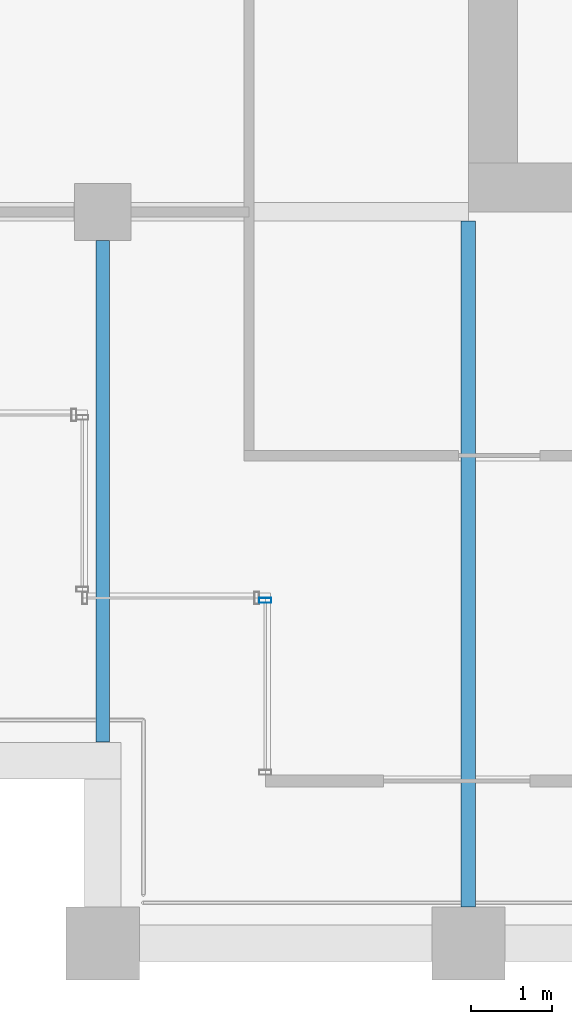
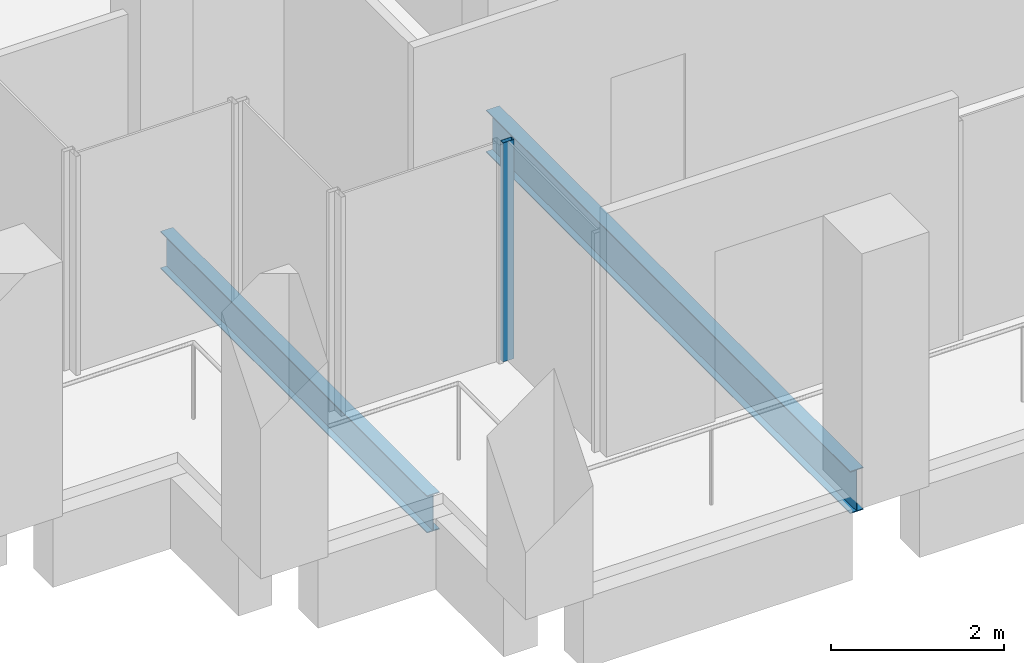
# One storey, part 29 of 40: 2 beams, 1 member, 1 element without a shape of its own.
"""IFC4 building model written with IfcOpenShell, lengths in metres."""

from ifc_helpers import new_model, si_unit, direction, frame, origin, origin_2d, place, context, subcontext, project, spatial, hollow_rectangle, i_section, extrude, material, material_profile, profile_set, type_object, element, aggregate, save


model = new_model("IFC4")

# Units and contexts
model_context = context("Model", 3, precision=1e-05, world=origin(), true_north=direction((0.0, 1.0)))
body_context = subcontext(model_context, "Body", "Model", "MODEL_VIEW")
ifc_project = project(units=[si_unit("LENGTHUNIT", "METRE"), si_unit("AREAUNIT", "SQUARE_METRE"), si_unit("VOLUMEUNIT", "CUBIC_METRE"), si_unit("PLANEANGLEUNIT", "RADIAN"), si_unit("MASSUNIT", "GRAM", prefix="KILO")], contexts=[model_context])

# Site, building, storey
site_placement = place(None, origin())
site = spatial("IfcSite", under=ifc_project, at=site_placement, CompositionType="ELEMENT")
building_placement = place(site_placement, origin())
building = spatial("IfcBuilding", under=site, at=building_placement, Name="Altepetl Exchange Towers", CompositionType="ELEMENT")
storey_placement = place(building_placement, frame((0.0, 0.0, 161.800048828125)))
storey = spatial("IfcBuildingStorey", under=building, at=storey_placement, Name="L40", CompositionType="ELEMENT", Elevation=161.800048828125)

# Beams
ifc_material_1 = material(Name="Steel S355", Category="steel")
ifc_material_profile_1 = material_profile(ifc_material_1, i_section(OverallWidth=0.166015625, OverallDepth=0.529052734375, WebThickness=0.009765625, FlangeThickness=0.013671875, at=origin_2d()), Name="W21X50")
ifc_profile_set_1 = profile_set([ifc_material_profile_1], Name="Steel S355")
beam_type_1 = type_object("IfcBeamType", Name="Floor beam W21X50", PredefinedType="BEAM", material=ifc_profile_set_1)
beam_1_placement = place(storey_placement, frame((99.0, 29.47509765625, -0.41455078125), z_axis=(0.0, 1.0, 0.0), x_axis=(-1.0, 0.0, 0.0)))
element("IfcBeam", 1, at=beam_1_placement, inside=storey, type_object=beam_type_1, Name="bm:B:L40:000", PredefinedType="BEAM", context=body_context, shape_type="SweptSolid", body=[
    extrude(i_section(OverallWidth=0.166015625, OverallDepth=0.529052734375, WebThickness=0.009765625, FlangeThickness=0.013671875, at=origin_2d()), origin(), (0.0, 0.0, 1.0), 6.1748046875),
])
ifc_material_profile_2 = material_profile(ifc_material_1, i_section(OverallWidth=0.177978515625, OverallDepth=0.59912109375, WebThickness=0.010009765625, FlangeThickness=0.0126953125, at=origin_2d()), Name="W24X55")
ifc_profile_set_2 = profile_set([ifc_material_profile_2], Name="Steel S355")
beam_type_2 = type_object("IfcBeamType", Name="Floor beam W24X55", PredefinedType="BEAM", material=ifc_profile_set_2)
beam_2_placement = place(storey_placement, frame((103.5, 27.449951171875, -0.449462890625), z_axis=(0.0, 1.0, 0.0), x_axis=(-1.0, 0.0, 0.0)))
element("IfcBeam", 2, at=beam_2_placement, inside=storey, type_object=beam_type_2, Name="bm:B:L40:001", PredefinedType="BEAM", context=body_context, shape_type="SweptSolid", body=[
    extrude(i_section(OverallWidth=0.177978515625, OverallDepth=0.59912109375, WebThickness=0.010009765625, FlangeThickness=0.0126953125, at=origin_2d()), origin(), (0.0, 0.0, 1.0), 8.43603515625),
])

# Curtain wall, member
ifc_material_2 = material(Name="Aluminium 6063-T6 glazing", Category="aluminium")
curtain_wall_type = type_object("IfcCurtainWallType", Name="Loggia glazing system", PredefinedType="NOTDEFINED", material=ifc_material_2)
curtain_wall_placement = place(storey_placement, origin())
curtain_wall = element("IfcCurtainWall", 3, at=curtain_wall_placement, inside=storey, type_object=curtain_wall_type, Name="CW1 run", PredefinedType="NOTDEFINED")
ifc_material_3 = material(Name="Aluminium 6063-T6", Category="aluminium")
ifc_material_profile_3 = material_profile(ifc_material_3, hollow_rectangle(XDim=0.06005859375, YDim=0.14990234375, WallThickness=0.0029296875, at=origin_2d()), Name="Mullion 60x150 aluminium")
ifc_profile_set_3 = profile_set([ifc_material_profile_3], Name="Aluminium 6063-T6")
member_type = type_object("IfcMemberType", Name="Mullion 60x150 aluminium", PredefinedType="MULLION", material=ifc_profile_set_3)
member_placement = place(storey_placement, frame((101.0, 31.219970703125, 0.0), z_axis=(0.0, 0.0, 1.0), x_axis=(0.0, -1.0, 0.0)))
member = element("IfcMember", 4, at=member_placement, type_object=member_type, Name="MU1 mullion", PredefinedType="MULLION", context=body_context, shape_type="SweptSolid", body=[
    extrude(hollow_rectangle(XDim=0.06005859375, YDim=0.14990234375, WallThickness=0.0029296875, at=origin_2d()), origin(), (0.0, 0.0, 1.0), 3.099853515625),
])
aggregate(curtain_wall, [member])

save(model, "model.ifc")
